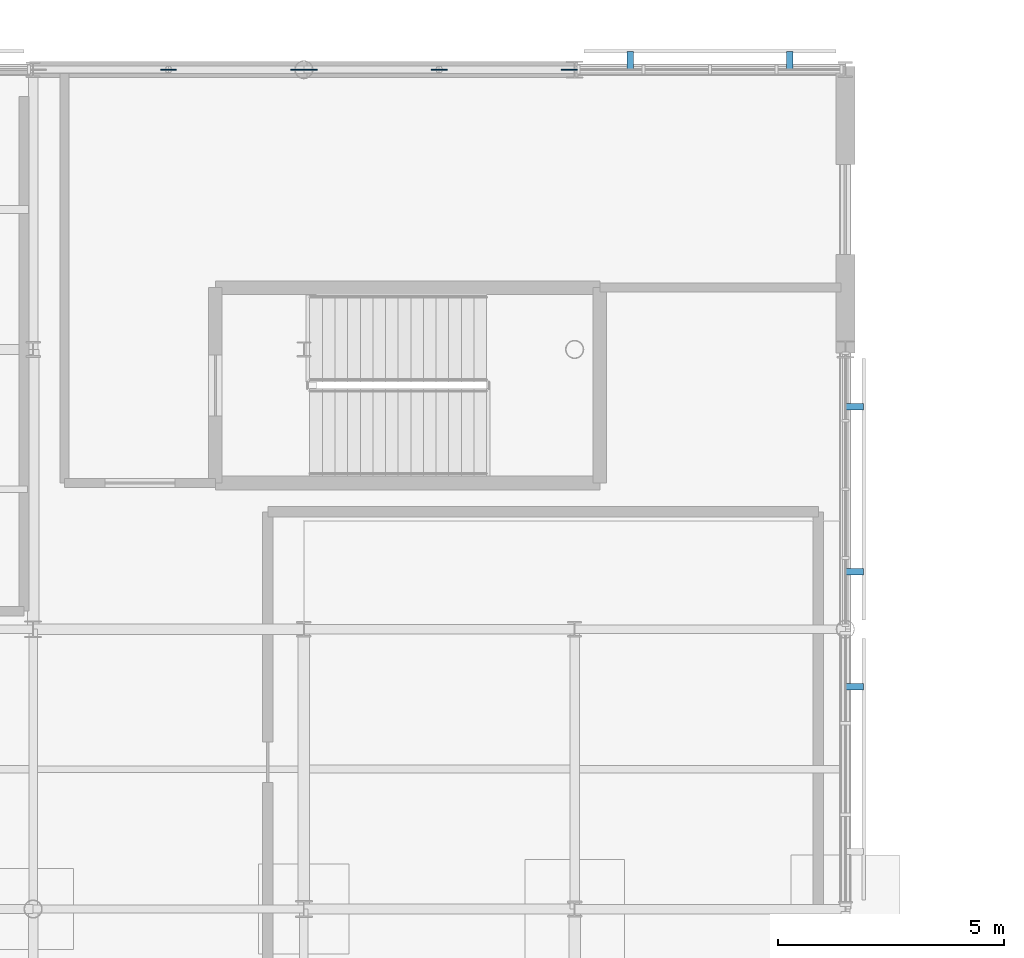
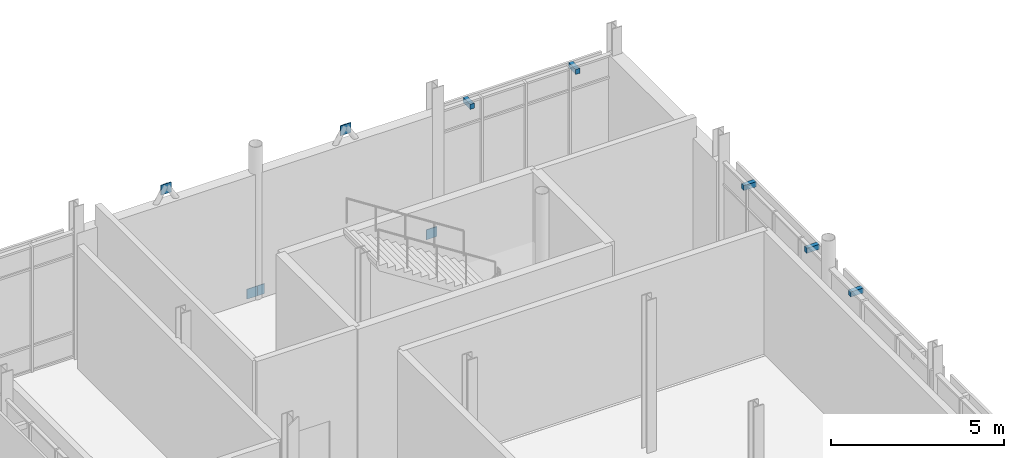
# One storey, part 88 of 98: 10 discrete accessories.
"""IFC4 building model written with IfcOpenShell, lengths in metres."""

from ifc_helpers import new_model, si_unit, direction, frame, origin, origin_2d, place, context, subcontext, project, spatial, rectangle, extrude, material, type_object, element, save


model = new_model("IFC4")

# Units and contexts
model_context = context("Model", 3, precision=1e-05, world=origin(), true_north=direction((0.0, 1.0)))
body_context = subcontext(model_context, "Body", "Model", "MODEL_VIEW")
ifc_project = project(units=[si_unit("LENGTHUNIT", "METRE"), si_unit("AREAUNIT", "SQUARE_METRE"), si_unit("VOLUMEUNIT", "CUBIC_METRE"), si_unit("PLANEANGLEUNIT", "RADIAN"), si_unit("MASSUNIT", "GRAM", prefix="KILO")], contexts=[model_context])

# Site, building, storey
site_placement = place(None, origin())
site = spatial("IfcSite", under=ifc_project, at=site_placement, CompositionType="ELEMENT")
building_placement = place(site_placement, origin())
building = spatial("IfcBuilding", under=site, at=building_placement, Name="Mirzam Square Science Centre", CompositionType="ELEMENT")
storey_placement = place(building_placement, origin())
storey = spatial("IfcBuildingStorey", under=building, at=storey_placement, Name="L00", CompositionType="ELEMENT", Elevation=0.0)

# Discrete accessories
ifc_material = material(Name="Steel S355", Category="steel")
discrete_accessory_type_1 = type_object("IfcDiscreteAccessoryType", Name="BK-BRACE-GUSSET", PredefinedType="BRACKET", material=ifc_material)
for number, where, z_axis, x_axis, name in (
    (1, (125.8798828125, 111.60009765625, -0.005126953125), (0.0, 0.0, 1.0), (1.0, 0.0, 0.0), "L00 brace gusset plate 8B"),
    (2, (123.0, 111.60009765625, 4.679931640625), (0.0, 0.0, 1.0), (1.0, 0.0, 0.0), "L00 brace apex gusset plate 8"),
    (3, (126.1201171875, 111.60009765625, -0.005126953125), (0.0, 0.0, 1.0), (1.0, 0.0, 0.0), "L00 brace gusset plate 9A"),
    (4, (131.8798828125, 111.60009765625, -0.005126953125), (0.0, 0.0, 1.0), (1.0, 0.0, 0.0), "L00 brace gusset plate 9B"),
    (5, (129.0, 111.60009765625, 4.679931640625), (0.0, 0.0, 1.0), (1.0, 0.0, 0.0), "L00 brace apex gusset plate 9"),
):
    element("IfcDiscreteAccessory", number, at=place(storey_placement, frame(where, z_axis=z_axis, x_axis=x_axis)), inside=storey, type_object=discrete_accessory_type_1, Name=name, PredefinedType="BRACKET", context=body_context, shape_type="SweptSolid", body=[
        extrude(rectangle(XDim=0.35009765625, YDim=0.02490234375, at=origin_2d()), origin(), (0.0, 0.0, 1.0), 0.35009765625),
    ])
discrete_accessory_type_2 = type_object("IfcDiscreteAccessoryType", Name="BRK-BRISE-STEEL", PredefinedType="BRACKET", material=ifc_material)
for number, where, z_axis, x_axis, name in (
    (6, (136.76708984375, 111.7900390625, 4.10009765625), (0.0, 0.0, 1.0), (-1.0, 0.0, 0.0), "L00 brise-soleil support bracket 64"),
    (7, (133.23291015625, 111.7900390625, 4.10009765625), (0.0, 0.0, 1.0), (-1.0, 0.0, 0.0), "L00 brise-soleil support bracket 64"),
    (8, (138.18994140625, 97.927001953125, 4.10009765625), (0.0, 0.0, 1.0), (0.0, 1.0, 0.0), "L00 brise-soleil support bracket 67"),
    (9, (138.18994140625, 100.472900390625, 4.10009765625), (0.0, 0.0, 1.0), (0.0, 1.0, 0.0), "L00 brise-soleil support bracket 69"),
    (10, (138.18994140625, 104.126953125, 4.10009765625), (0.0, 0.0, 1.0), (0.0, 1.0, 0.0), "L00 brise-soleil support bracket 69"),
):
    element("IfcDiscreteAccessory", number, at=place(storey_placement, frame(where, z_axis=z_axis, x_axis=x_axis)), inside=storey, type_object=discrete_accessory_type_2, Name=name, PredefinedType="BRACKET", context=body_context, shape_type="SweptSolid", body=[
        extrude(rectangle(XDim=0.139892578125, YDim=0.419921875, at=origin_2d()), origin(), (0.0, 0.0, 1.0), 0.179931640625),
    ])

save(model, "model.ifc")
